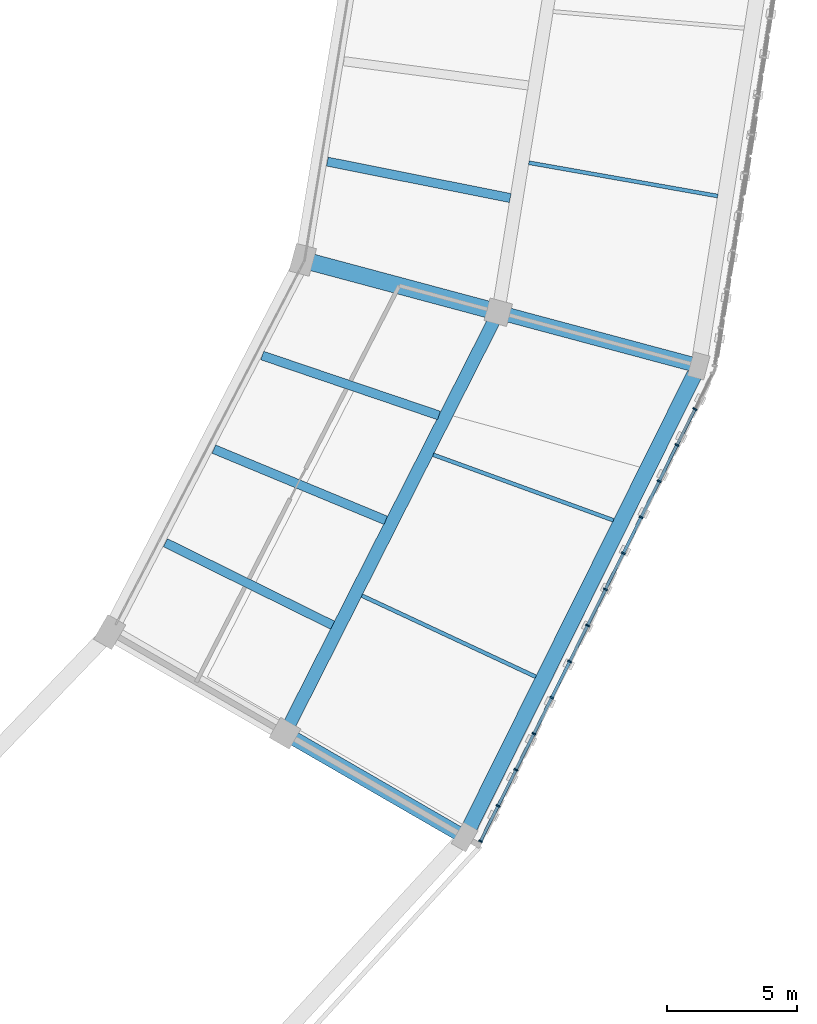
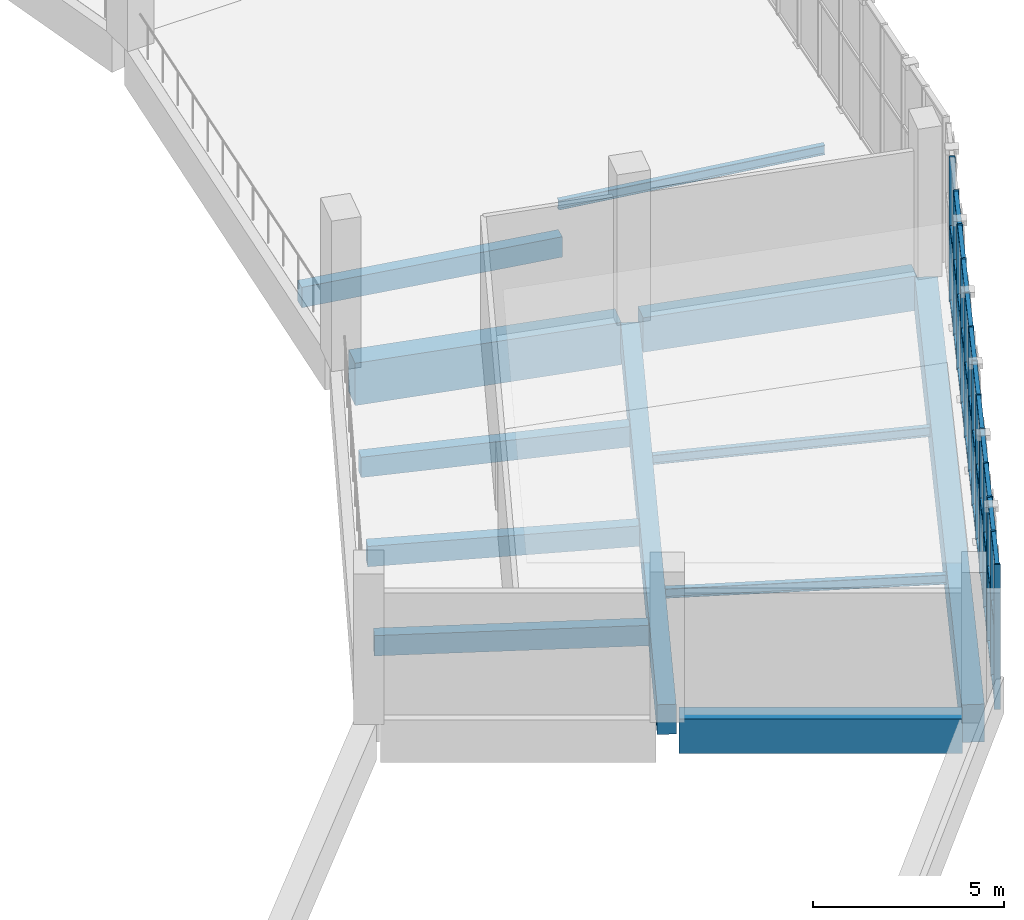
# One storey, part 18 of 64: 48 members, 12 beams, 1 element without a shape of its own.
"""IFC4 building model written with IfcOpenShell, lengths in metres."""

import ifcopenshell
import ifcopenshell.guid

model = None  # the IFC model being written
_history = None  # IfcOwnerHistory: only IFC2X3 demands one
_inside = {}  # id of a spatial element -> (the spatial element, [elements in it])
_under = {}  # id of a project, library or spatial element -> (it, [spatial elements below it])
_declared = {}  # id of a project -> (the project, [libraries it declares])
_typed = {}  # id of a type object -> (the type object, [elements of that type])
_made_of = {}  # id of a material, layer set ... -> (it, [elements and type objects made of it])


def new_model(schema):
    """Start an empty IFC model of exactly this schema.

    Asked for "IFC4X3", IfcOpenShell would pick the latest addendum, in which some entities
    have other attributes; the version numbers below select the first issue.
    IFC2X3 requires an IfcOwnerHistory on every rooted entity: one is made here for all.
    """
    global model, _history
    if schema == "IFC4X3":
        model = ifcopenshell.file(schema_version=(4, 3, 0, 0))
    else:
        model = ifcopenshell.file(schema=schema)
    _inside.clear()
    _under.clear()
    _declared.clear()
    _typed.clear()
    _made_of.clear()
    _history = None
    if model.schema == "IFC2X3":
        org = make("IfcOrganization", Name="unknown")
        user = make(
            "IfcPersonAndOrganization",
            ThePerson=make("IfcPerson", FamilyName="unknown"),
            TheOrganization=org,
        )
        app = make(
            "IfcApplication",
            ApplicationDeveloper=org,
            Version="unknown",
            ApplicationFullName="unknown",
            ApplicationIdentifier="unknown",
        )
        _history = make(
            "IfcOwnerHistory",
            OwningUser=user,
            OwningApplication=app,
            ChangeAction="ADDED",
            CreationDate=0,
        )
    return model


def make(cls, **values):
    """One entity of the class cls with the attributes given. An attribute that is None is left unset."""
    return model.create_entity(
        cls, **{name: value for name, value in values.items() if value is not None}
    )


def rooted(cls, **values):
    """An entity with a GlobalId (a new one), such as an element, a storey or a relation."""
    return make(cls, GlobalId=ifcopenshell.guid.new(), OwnerHistory=_history, **values)


def si_unit(unit_type, name, prefix=None):
    """IfcSIUnit, for example si_unit("LENGTHUNIT", "METRE", prefix="MILLI")."""
    return make("IfcSIUnit", UnitType=unit_type, Prefix=prefix, Name=name)


def assignment(units):
    """IfcUnitAssignment: the units of a project."""
    return None if units is None else make("IfcUnitAssignment", Units=units)


def point(xyz):
    """IfcCartesianPoint."""
    return None if xyz is None else make("IfcCartesianPoint", Coordinates=xyz)


def direction(xyz):
    """IfcDirection."""
    return None if xyz is None else make("IfcDirection", DirectionRatios=xyz)


def frame(location, z_axis=None, x_axis=None):
    """IfcAxis2Placement3D, a coordinate frame: its origin and axes. An axis left out is left unset."""
    return make(
        "IfcAxis2Placement3D",
        Location=point(location),
        Axis=direction(z_axis),
        RefDirection=direction(x_axis),
    )


def frame_2d(location, x_axis=None):
    """IfcAxis2Placement2D, a coordinate frame in the plane: its origin and x axis."""
    return make(
        "IfcAxis2Placement2D", Location=point(location), RefDirection=direction(x_axis)
    )


def origin():
    """The frame at (0, 0, 0) with its axes left unset."""
    return frame((0.0, 0.0, 0.0))


def origin_2d():
    """The frame at (0, 0) in the plane with its x axis left unset."""
    return frame_2d((0.0, 0.0))


def place(relative_to, where):
    """IfcLocalPlacement: puts the frame where relative to a parent placement (None: the world)."""
    return make(
        "IfcLocalPlacement", PlacementRelTo=relative_to, RelativePlacement=where
    )


def context(
    kind, dimensions, precision=None, world=None, true_north=None, identifier=None
):
    """IfcGeometricRepresentationContext, for example the 3D "Model" context."""
    return make(
        "IfcGeometricRepresentationContext",
        ContextIdentifier=identifier,
        ContextType=kind,
        CoordinateSpaceDimension=dimensions,
        Precision=precision,
        WorldCoordinateSystem=world,
        TrueNorth=true_north,
    )


def subcontext(parent, identifier, kind, view, scale=None):
    """IfcGeometricRepresentationSubContext, for example "Body" below "Model"."""
    return make(
        "IfcGeometricRepresentationSubContext",
        ContextIdentifier=identifier,
        ContextType=kind,
        ParentContext=parent,
        TargetScale=scale,
        TargetView=view,
    )


def project(units=None, contexts=None):
    """IfcProject with its units and contexts."""
    return rooted(
        "IfcProject",
        Name="project",
        RepresentationContexts=contexts,
        UnitsInContext=assignment(units),
    )


def spatial(cls, under=None, at=None, **own):
    """A site, building, storey or space (cls), placed at a placement, below another one or the project."""
    s = rooted(cls, ObjectPlacement=at, **own)
    if under is not None:
        _under.setdefault(under.id(), (under, []))[1].append(s)
    return s


def profile(cls, at=None, kind="AREA", **sizes):
    """A parametric profile (cls). Its sizes go by their IFC names, for example OverallWidth=200.0."""
    return make(cls, ProfileType=kind, Position=at, **sizes)


def rectangle(**sizes):
    """IfcRectangleProfileDef."""
    return profile("IfcRectangleProfileDef", **sizes)


def i_section(**sizes):
    """IfcIShapeProfileDef."""
    return profile("IfcIShapeProfileDef", **sizes)


def extrude(swept, where, along, depth):
    """IfcExtrudedAreaSolid: the profile swept, set in the frame where, extruded along a direction by depth."""
    return make(
        "IfcExtrudedAreaSolid",
        SweptArea=swept,
        Position=where,
        ExtrudedDirection=direction(along),
        Depth=depth,
    )


def shape(context_of_items, identifier, shape_type, items):
    """IfcShapeRepresentation: the items that make up one representation, for example the "Body"."""
    return make(
        "IfcShapeRepresentation",
        ContextOfItems=context_of_items,
        RepresentationIdentifier=identifier,
        RepresentationType=shape_type,
        Items=items,
    )


def material(Name=None, Category=None):
    """IfcMaterial."""
    return make("IfcMaterial", Name=Name, Category=Category)


def material_profile(
    of_material, cross_section, Name=None, Category=None, Priority=None
):
    """IfcMaterialProfile: a cross section and its material."""
    return make(
        "IfcMaterialProfile",
        Name=Name,
        Material=of_material,
        Profile=cross_section,
        Priority=Priority,
        Category=Category,
    )


def profile_set(profiles, Name=None, composite=None):
    """IfcMaterialProfileSet."""
    return make(
        "IfcMaterialProfileSet",
        Name=Name,
        MaterialProfiles=profiles,
        CompositeProfile=composite,
    )


def made_of(thing, what):
    """Note that an element or type object is made of a material, layer set ...; save() writes the relation."""
    if what is not None:
        _made_of.setdefault(what.id(), (what, []))[1].append(thing)
    return thing


def type_object(cls, material=None, **own):
    """A type object (cls), such as IfcWallType, which elements share."""
    return made_of(rooted(cls, **own), material)


def element(
    cls,
    number,
    at=None,
    inside=None,
    cuts=None,
    type_object=None,
    material=None,
    context=None,
    identifier="Body",
    shape_type=None,
    held_by="IfcProductDefinitionShape",
    body=None,
    shapes=None,
    **own,
):
    """One element of the class cls, such as IfcWall. Its Tag is "e" and its number.

    at: its placement. inside: the storey or other place that contains it. cuts: it is an
    opening in that element (IfcRelVoidsElement). A single representation is given by context,
    identifier, shape_type and body (its items); several are given by shapes. held_by: the class
    of the entity that holds the representations. save() writes the other relations.
    """
    e = rooted(cls, Tag="e%d" % number, ObjectPlacement=at, **own)
    if body is not None:
        shapes = [shape(context, identifier, shape_type, body)]
    if shapes is not None:
        e.Representation = make(held_by, Representations=shapes)
    if inside is not None:
        _inside.setdefault(inside.id(), (inside, []))[1].append(e)
    if cuts is not None:
        rooted(
            "IfcRelVoidsElement", RelatingBuildingElement=cuts, RelatedOpeningElement=e
        )
    if type_object is not None:
        _typed.setdefault(type_object.id(), (type_object, []))[1].append(e)
    return made_of(e, material)


def aggregate(whole, parts):
    """IfcRelAggregates: a whole, such as a stair, and the parts it consists of."""
    return rooted("IfcRelAggregates", RelatingObject=whole, RelatedObjects=parts)


def save(model, path):
    """Write the relations noted so far, then the file.

    IfcRelAggregates (storeys below a building ...), IfcRelContainedInSpatialStructure (elements
    in a storey), IfcRelDefinesByType, IfcRelAssociatesMaterial and IfcRelDeclares: one each for
    every whole, place, type object, material and project.
    """
    for whole, parts in _under.values():
        aggregate(whole, parts)
    for where, things in _inside.values():
        rooted(
            "IfcRelContainedInSpatialStructure",
            RelatedElements=things,
            RelatingStructure=where,
        )
    for kind, things in _typed.values():
        rooted("IfcRelDefinesByType", RelatedObjects=things, RelatingType=kind)
    for what, things in _made_of.values():
        rooted("IfcRelAssociatesMaterial", RelatedObjects=things, RelatingMaterial=what)
    for by, libraries in _declared.values():
        rooted("IfcRelDeclares", RelatingContext=by, RelatedDefinitions=libraries)
    model.write(path)


model = new_model("IFC4")

# Units and contexts
model_context = context("Model", 3, precision=1e-05, world=origin(), true_north=direction((0.0, 1.0)))
body_context = subcontext(model_context, "Body", "Model", "MODEL_VIEW")
ifc_project = project(units=[si_unit("LENGTHUNIT", "METRE"), si_unit("AREAUNIT", "SQUARE_METRE"), si_unit("VOLUMEUNIT", "CUBIC_METRE"), si_unit("PLANEANGLEUNIT", "RADIAN"), si_unit("MASSUNIT", "GRAM", prefix="KILO")], contexts=[model_context])

# Site, building, storey
site_placement = place(None, origin())
site = spatial("IfcSite", under=ifc_project, at=site_placement, CompositionType="ELEMENT")
building_placement = place(site_placement, origin())
building = spatial("IfcBuilding", under=site, at=building_placement, Name="Zevraka Park Crest Stadium", CompositionType="ELEMENT")
storey_placement = place(building_placement, frame((0.0, 0.0, 24.60009765625)))
storey = spatial("IfcBuildingStorey", under=building, at=storey_placement, Name="L05", CompositionType="ELEMENT", Elevation=24.60009765625)

# Beams
ifc_material_1 = material(Name="Concrete C40/50", Category="concrete")
ifc_material_profile_1 = material_profile(ifc_material_1, rectangle(XDim=0.64990234375, YDim=1.35009765625, at=origin_2d()), Name="RC 1350x650")
ifc_profile_set_1 = profile_set([ifc_material_profile_1], Name="Concrete C40/50")
beam_type_1 = type_object("IfcBeamType", Name="BG01", PredefinedType="BEAM", material=ifc_profile_set_1)
beam_1_placement = place(storey_placement, frame((184.2509765625, 76.52197265625, -0.68505859375), z_axis=(0.965945630245, -0.258745124417, 0.0), x_axis=(0.258745124417, 0.965945630245, 0.0)))
element("IfcBeam", 1, at=beam_1_placement, inside=storey, type_object=beam_type_1, Name="Radial Girder BG01 L05-BC-23", PredefinedType="BEAM", context=body_context, shape_type="SweptSolid", body=[
    extrude(rectangle(XDim=0.64990234375, YDim=1.35009765625, at=origin_2d()), origin(), (0.0, 0.0, 1.0), 7.2001953125),
])
ifc_material_2 = material(Name="Concrete C40/50", Category="concrete")
ifc_material_profile_2 = material_profile(ifc_material_2, rectangle(XDim=0.550048828125, YDim=1.10009765625, at=origin_2d()), Name="RC 1100x550")
ifc_profile_set_2 = profile_set([ifc_material_profile_2], Name="Concrete C40/50")
beam_type_2 = type_object("IfcBeamType", Name="BG02", PredefinedType="BEAM", material=ifc_profile_set_2)
beam_2_placement = place(storey_placement, frame((183.533935546875, 58.199951171875, -0.56005859375), z_axis=(0.86600700885, -0.500031859608, 0.0), x_axis=(0.500031859608, 0.86600700885, 0.0)))
element("IfcBeam", 2, at=beam_2_placement, inside=storey, type_object=beam_type_2, Name="Radial Girder BG02 L05-CD-22", PredefinedType="BEAM", context=body_context, shape_type="SweptSolid", body=[
    extrude(rectangle(XDim=0.550048828125, YDim=1.10009765625, at=origin_2d()), origin(), (0.0, 0.0, 1.0), 7.3994140625),
])
beam_3_placement = place(storey_placement, frame((191.785888671875, 74.5029296875, -0.56005859375), z_axis=(0.965968812251, -0.258658565986, 0.0), x_axis=(0.258658565986, 0.965968812251, 0.0)))
element("IfcBeam", 3, at=beam_3_placement, inside=storey, type_object=beam_type_2, Name="Radial Girder BG02 L05-CD-23", PredefinedType="BEAM", context=body_context, shape_type="SweptSolid", body=[
    extrude(rectangle(XDim=0.550048828125, YDim=1.10009765625, at=origin_2d()), origin(), (0.0, 0.0, 1.0), 7.39892578125),
])

# Curtain wall, members
ifc_material_3 = material(Name="Anodised architectural aluminium and laminated safety glass", Category="aluminium")
curtain_wall_type = type_object("IfcCurtainWallType", Name="CW22", PredefinedType="NOTDEFINED", material=ifc_material_3)
curtain_wall_placement = place(storey_placement, origin())
curtain_wall = element("IfcCurtainWall", 4, at=curtain_wall_placement, inside=storey, type_object=curtain_wall_type, Name="Unitised Ring Curtain Wall CW22 L05-22", PredefinedType="NOTDEFINED")
ifc_material_4 = material(Name="Anodised architectural aluminium", Category="aluminium")
ifc_material_profile_3 = material_profile(ifc_material_4, rectangle(XDim=0.159912109375, YDim=0.06005859375, at=origin_2d()), Name="ALU MULLION 160x60")
ifc_profile_set_3 = profile_set([ifc_material_profile_3], Name="Anodised architectural aluminium")
member_type_1 = type_object("IfcMemberType", Name="CM01", PredefinedType="MULLION", material=ifc_profile_set_3)
member_1_placement = place(storey_placement, frame((190.812255859375, 54.18798828125, 0.0), z_axis=(0.0, 0.0, 1.0), x_axis=(-0.895879320455, 0.444297471499, 0.0)))
member_1 = element("IfcMember", 5, at=member_1_placement, type_object=member_type_1, Name="CW22 mullion 1", PredefinedType="MULLION", context=body_context, shape_type="SweptSolid", body=[
    extrude(rectangle(XDim=0.159912109375, YDim=0.06005859375, at=origin_2d()), origin(), (0.0, 0.0, 1.0), 4.619873046875),
])
member_2_placement = place(storey_placement, frame((191.48876953125, 55.5517578125, 0.0), z_axis=(0.0, 0.0, 1.0), x_axis=(-0.895879320455, 0.444297471499, 0.0)))
member_2 = element("IfcMember", 6, at=member_2_placement, type_object=member_type_1, Name="CW22 mullion 2", PredefinedType="MULLION", context=body_context, shape_type="SweptSolid", body=[
    extrude(rectangle(XDim=0.159912109375, YDim=0.06005859375, at=origin_2d()), origin(), (0.0, 0.0, 1.0), 4.619873046875),
])
member_3_placement = place(storey_placement, frame((192.178466796875, 56.9423828125, 0.0), z_axis=(0.0, 0.0, 1.0), x_axis=(-0.895879320455, 0.444297471499, 0.0)))
member_3 = element("IfcMember", 7, at=member_3_placement, type_object=member_type_1, Name="CW22 mullion 3", PredefinedType="MULLION", context=body_context, shape_type="SweptSolid", body=[
    extrude(rectangle(XDim=0.159912109375, YDim=0.06005859375, at=origin_2d()), origin(), (0.0, 0.0, 1.0), 4.619873046875),
])
member_4_placement = place(storey_placement, frame((192.8681640625, 58.3330078125, 0.0), z_axis=(0.0, 0.0, 1.0), x_axis=(-0.895879320455, 0.444297471499, 0.0)))
member_4 = element("IfcMember", 8, at=member_4_placement, type_object=member_type_1, Name="CW22 mullion 4", PredefinedType="MULLION", context=body_context, shape_type="SweptSolid", body=[
    extrude(rectangle(XDim=0.159912109375, YDim=0.06005859375, at=origin_2d()), origin(), (0.0, 0.0, 1.0), 4.619873046875),
])
member_5_placement = place(storey_placement, frame((193.557861328125, 59.723876953125, 0.0), z_axis=(0.0, 0.0, 1.0), x_axis=(-0.895879320455, 0.444297471499, 0.0)))
member_5 = element("IfcMember", 9, at=member_5_placement, type_object=member_type_1, Name="CW22 mullion 5", PredefinedType="MULLION", context=body_context, shape_type="SweptSolid", body=[
    extrude(rectangle(XDim=0.159912109375, YDim=0.06005859375, at=origin_2d()), origin(), (0.0, 0.0, 1.0), 4.619873046875),
])
member_6_placement = place(storey_placement, frame((194.24755859375, 61.114501953125, 0.0), z_axis=(0.0, 0.0, 1.0), x_axis=(-0.895879320455, 0.444297471499, 0.0)))
member_6 = element("IfcMember", 10, at=member_6_placement, type_object=member_type_1, Name="CW22 mullion 6", PredefinedType="MULLION", context=body_context, shape_type="SweptSolid", body=[
    extrude(rectangle(XDim=0.159912109375, YDim=0.06005859375, at=origin_2d()), origin(), (0.0, 0.0, 1.0), 4.619873046875),
])
member_7_placement = place(storey_placement, frame((194.937255859375, 62.505126953125, 0.0), z_axis=(0.0, 0.0, 1.0), x_axis=(-0.895879320455, 0.444297471499, 0.0)))
member_7 = element("IfcMember", 11, at=member_7_placement, type_object=member_type_1, Name="CW22 mullion 7", PredefinedType="MULLION", context=body_context, shape_type="SweptSolid", body=[
    extrude(rectangle(XDim=0.159912109375, YDim=0.06005859375, at=origin_2d()), origin(), (0.0, 0.0, 1.0), 4.619873046875),
])
member_8_placement = place(storey_placement, frame((195.626953125, 63.895751953125, 0.0), z_axis=(0.0, 0.0, 1.0), x_axis=(-0.895879320455, 0.444297471499, 0.0)))
member_8 = element("IfcMember", 12, at=member_8_placement, type_object=member_type_1, Name="CW22 mullion 8", PredefinedType="MULLION", context=body_context, shape_type="SweptSolid", body=[
    extrude(rectangle(XDim=0.159912109375, YDim=0.06005859375, at=origin_2d()), origin(), (0.0, 0.0, 1.0), 4.619873046875),
])
member_9_placement = place(storey_placement, frame((196.316650390625, 65.28662109375, 0.0), z_axis=(0.0, 0.0, 1.0), x_axis=(-0.895879320455, 0.444297471499, 0.0)))
member_9 = element("IfcMember", 13, at=member_9_placement, type_object=member_type_1, Name="CW22 mullion 9", PredefinedType="MULLION", context=body_context, shape_type="SweptSolid", body=[
    extrude(rectangle(XDim=0.159912109375, YDim=0.06005859375, at=origin_2d()), origin(), (0.0, 0.0, 1.0), 4.619873046875),
])
member_10_placement = place(storey_placement, frame((197.00634765625, 66.67724609375, 0.0), z_axis=(0.0, 0.0, 1.0), x_axis=(-0.895879320455, 0.444297471499, 0.0)))
member_10 = element("IfcMember", 14, at=member_10_placement, type_object=member_type_1, Name="CW22 mullion 10", PredefinedType="MULLION", context=body_context, shape_type="SweptSolid", body=[
    extrude(rectangle(XDim=0.159912109375, YDim=0.06005859375, at=origin_2d()), origin(), (0.0, 0.0, 1.0), 4.619873046875),
])
member_11_placement = place(storey_placement, frame((197.696044921875, 68.06787109375, 0.0), z_axis=(0.0, 0.0, 1.0), x_axis=(-0.895879320455, 0.444297471499, 0.0)))
member_11 = element("IfcMember", 15, at=member_11_placement, type_object=member_type_1, Name="CW22 mullion 11", PredefinedType="MULLION", context=body_context, shape_type="SweptSolid", body=[
    extrude(rectangle(XDim=0.159912109375, YDim=0.06005859375, at=origin_2d()), origin(), (0.0, 0.0, 1.0), 4.619873046875),
])
member_12_placement = place(storey_placement, frame((198.385498046875, 69.45849609375, 0.0), z_axis=(0.0, 0.0, 1.0), x_axis=(-0.895879320455, 0.444297471499, 0.0)))
member_12 = element("IfcMember", 16, at=member_12_placement, type_object=member_type_1, Name="CW22 mullion 12", PredefinedType="MULLION", context=body_context, shape_type="SweptSolid", body=[
    extrude(rectangle(XDim=0.159912109375, YDim=0.06005859375, at=origin_2d()), origin(), (0.0, 0.0, 1.0), 4.619873046875),
])
member_13_placement = place(storey_placement, frame((199.0751953125, 70.849365234375, 0.0), z_axis=(0.0, 0.0, 1.0), x_axis=(-0.895879320455, 0.444297471499, 0.0)))
member_13 = element("IfcMember", 17, at=member_13_placement, type_object=member_type_1, Name="CW22 mullion 13", PredefinedType="MULLION", context=body_context, shape_type="SweptSolid", body=[
    extrude(rectangle(XDim=0.159912109375, YDim=0.06005859375, at=origin_2d()), origin(), (0.0, 0.0, 1.0), 4.619873046875),
])
ifc_material_5 = material(Name="Anodised architectural aluminium", Category="aluminium")
ifc_material_profile_4 = material_profile(ifc_material_5, rectangle(XDim=0.1201171875, YDim=0.06005859375, at=origin_2d()), Name="ALU TRANSOM 120x60")
ifc_profile_set_4 = profile_set([ifc_material_profile_4], Name="Anodised architectural aluminium")
member_type_2 = type_object("IfcMemberType", Name="CT01", PredefinedType="USERDEFINED", material=ifc_profile_set_4)
member_14_placement = place(storey_placement, frame((190.82568359375, 54.21484375, 0.02978515625), z_axis=(0.444272737826, 0.895891586312, 0.0), x_axis=(-0.895891586312, 0.444272737826, 0.0)))
member_14 = element("IfcMember", 18, at=member_14_placement, type_object=member_type_2, Name="CW22 transom 1.1", ObjectType="TRANSOM", PredefinedType="USERDEFINED", context=body_context, shape_type="SweptSolid", body=[
    extrude(rectangle(XDim=0.1201171875, YDim=0.06005859375, at=origin_2d()), origin(), (0.0, 0.0, 1.0), 1.46240234375),
])
member_15_placement = place(storey_placement, frame((190.82568359375, 54.21484375, 2.39990234375), z_axis=(0.444272737826, 0.895891586312, 0.0), x_axis=(-0.895891586312, 0.444272737826, 0.0)))
member_15 = element("IfcMember", 19, at=member_15_placement, type_object=member_type_2, Name="CW22 transom 1.2", ObjectType="TRANSOM", PredefinedType="USERDEFINED", context=body_context, shape_type="SweptSolid", body=[
    extrude(rectangle(XDim=0.1201171875, YDim=0.06005859375, at=origin_2d()), origin(), (0.0, 0.0, 1.0), 1.46240234375),
])
member_16_placement = place(storey_placement, frame((190.82568359375, 54.21484375, 4.58984375), z_axis=(0.444272737826, 0.895891586312, 0.0), x_axis=(-0.895891586312, 0.444272737826, 0.0)))
member_16 = element("IfcMember", 20, at=member_16_placement, type_object=member_type_2, Name="CW22 transom 1.3", ObjectType="TRANSOM", PredefinedType="USERDEFINED", context=body_context, shape_type="SweptSolid", body=[
    extrude(rectangle(XDim=0.1201171875, YDim=0.06005859375, at=origin_2d()), origin(), (0.0, 0.0, 1.0), 1.46240234375),
])
member_17_placement = place(storey_placement, frame((191.501953125, 55.57861328125, 0.02978515625), z_axis=(0.444331954809, 0.895862218165, 0.0), x_axis=(-0.895862218165, 0.444331954809, 0.0)))
member_17 = element("IfcMember", 21, at=member_17_placement, type_object=member_type_2, Name="CW22 transom 2.1", ObjectType="TRANSOM", PredefinedType="USERDEFINED", context=body_context, shape_type="SweptSolid", body=[
    extrude(rectangle(XDim=0.1201171875, YDim=0.06005859375, at=origin_2d()), origin(), (0.0, 0.0, 1.0), 1.492431640625),
])
member_18_placement = place(storey_placement, frame((191.501953125, 55.57861328125, 2.39990234375), z_axis=(0.444331954809, 0.895862218165, 0.0), x_axis=(-0.895862218165, 0.444331954809, 0.0)))
member_18 = element("IfcMember", 22, at=member_18_placement, type_object=member_type_2, Name="CW22 transom 2.2", ObjectType="TRANSOM", PredefinedType="USERDEFINED", context=body_context, shape_type="SweptSolid", body=[
    extrude(rectangle(XDim=0.1201171875, YDim=0.06005859375, at=origin_2d()), origin(), (0.0, 0.0, 1.0), 1.492431640625),
])
member_19_placement = place(storey_placement, frame((191.501953125, 55.57861328125, 4.58984375), z_axis=(0.444331954809, 0.895862218165, 0.0), x_axis=(-0.895862218165, 0.444331954809, 0.0)))
member_19 = element("IfcMember", 23, at=member_19_placement, type_object=member_type_2, Name="CW22 transom 2.3", ObjectType="TRANSOM", PredefinedType="USERDEFINED", context=body_context, shape_type="SweptSolid", body=[
    extrude(rectangle(XDim=0.1201171875, YDim=0.06005859375, at=origin_2d()), origin(), (0.0, 0.0, 1.0), 1.492431640625),
])
member_20_placement = place(storey_placement, frame((192.191650390625, 56.96923828125, 0.02978515625), z_axis=(0.444331954809, 0.895862218165, 0.0), x_axis=(-0.895862218165, 0.444331954809, 0.0)))
member_20 = element("IfcMember", 24, at=member_20_placement, type_object=member_type_2, Name="CW22 transom 3.1", ObjectType="TRANSOM", PredefinedType="USERDEFINED", context=body_context, shape_type="SweptSolid", body=[
    extrude(rectangle(XDim=0.1201171875, YDim=0.06005859375, at=origin_2d()), origin(), (0.0, 0.0, 1.0), 1.492431640625),
])
member_21_placement = place(storey_placement, frame((192.191650390625, 56.96923828125, 2.39990234375), z_axis=(0.444331954809, 0.895862218165, 0.0), x_axis=(-0.895862218165, 0.444331954809, 0.0)))
member_21 = element("IfcMember", 25, at=member_21_placement, type_object=member_type_2, Name="CW22 transom 3.2", ObjectType="TRANSOM", PredefinedType="USERDEFINED", context=body_context, shape_type="SweptSolid", body=[
    extrude(rectangle(XDim=0.1201171875, YDim=0.06005859375, at=origin_2d()), origin(), (0.0, 0.0, 1.0), 1.492431640625),
])
member_22_placement = place(storey_placement, frame((192.191650390625, 56.96923828125, 4.58984375), z_axis=(0.444331954809, 0.895862218165, 0.0), x_axis=(-0.895862218165, 0.444331954809, 0.0)))
member_22 = element("IfcMember", 26, at=member_22_placement, type_object=member_type_2, Name="CW22 transom 3.3", ObjectType="TRANSOM", PredefinedType="USERDEFINED", context=body_context, shape_type="SweptSolid", body=[
    extrude(rectangle(XDim=0.1201171875, YDim=0.06005859375, at=origin_2d()), origin(), (0.0, 0.0, 1.0), 1.492431640625),
])
member_23_placement = place(storey_placement, frame((192.88134765625, 58.35986328125, 0.02978515625), z_axis=(0.444331954809, 0.895862218165, 0.0), x_axis=(-0.895862218165, 0.444331954809, 0.0)))
member_23 = element("IfcMember", 27, at=member_23_placement, type_object=member_type_2, Name="CW22 transom 4.1", ObjectType="TRANSOM", PredefinedType="USERDEFINED", context=body_context, shape_type="SweptSolid", body=[
    extrude(rectangle(XDim=0.1201171875, YDim=0.06005859375, at=origin_2d()), origin(), (0.0, 0.0, 1.0), 1.492431640625),
])
member_24_placement = place(storey_placement, frame((192.88134765625, 58.35986328125, 2.39990234375), z_axis=(0.444331954809, 0.895862218165, 0.0), x_axis=(-0.895862218165, 0.444331954809, 0.0)))
member_24 = element("IfcMember", 28, at=member_24_placement, type_object=member_type_2, Name="CW22 transom 4.2", ObjectType="TRANSOM", PredefinedType="USERDEFINED", context=body_context, shape_type="SweptSolid", body=[
    extrude(rectangle(XDim=0.1201171875, YDim=0.06005859375, at=origin_2d()), origin(), (0.0, 0.0, 1.0), 1.492431640625),
])
member_25_placement = place(storey_placement, frame((192.88134765625, 58.35986328125, 4.58984375), z_axis=(0.444331954809, 0.895862218165, 0.0), x_axis=(-0.895862218165, 0.444331954809, 0.0)))
member_25 = element("IfcMember", 29, at=member_25_placement, type_object=member_type_2, Name="CW22 transom 4.3", ObjectType="TRANSOM", PredefinedType="USERDEFINED", context=body_context, shape_type="SweptSolid", body=[
    extrude(rectangle(XDim=0.1201171875, YDim=0.06005859375, at=origin_2d()), origin(), (0.0, 0.0, 1.0), 1.492431640625),
])
member_26_placement = place(storey_placement, frame((193.571044921875, 59.750732421875, 0.02978515625), z_axis=(0.444331954809, 0.895862218165, 0.0), x_axis=(-0.895862218165, 0.444331954809, 0.0)))
member_26 = element("IfcMember", 30, at=member_26_placement, type_object=member_type_2, Name="CW22 transom 5.1", ObjectType="TRANSOM", PredefinedType="USERDEFINED", context=body_context, shape_type="SweptSolid", body=[
    extrude(rectangle(XDim=0.1201171875, YDim=0.06005859375, at=origin_2d()), origin(), (0.0, 0.0, 1.0), 1.492431640625),
])
member_27_placement = place(storey_placement, frame((193.571044921875, 59.750732421875, 2.39990234375), z_axis=(0.444331954809, 0.895862218165, 0.0), x_axis=(-0.895862218165, 0.444331954809, 0.0)))
member_27 = element("IfcMember", 31, at=member_27_placement, type_object=member_type_2, Name="CW22 transom 5.2", ObjectType="TRANSOM", PredefinedType="USERDEFINED", context=body_context, shape_type="SweptSolid", body=[
    extrude(rectangle(XDim=0.1201171875, YDim=0.06005859375, at=origin_2d()), origin(), (0.0, 0.0, 1.0), 1.492431640625),
])
member_28_placement = place(storey_placement, frame((193.571044921875, 59.750732421875, 4.58984375), z_axis=(0.444331954809, 0.895862218165, 0.0), x_axis=(-0.895862218165, 0.444331954809, 0.0)))
member_28 = element("IfcMember", 32, at=member_28_placement, type_object=member_type_2, Name="CW22 transom 5.3", ObjectType="TRANSOM", PredefinedType="USERDEFINED", context=body_context, shape_type="SweptSolid", body=[
    extrude(rectangle(XDim=0.1201171875, YDim=0.06005859375, at=origin_2d()), origin(), (0.0, 0.0, 1.0), 1.492431640625),
])
member_29_placement = place(storey_placement, frame((194.2607421875, 61.141357421875, 0.02978515625), z_axis=(0.444331954809, 0.895862218165, 0.0), x_axis=(-0.895862218165, 0.444331954809, 0.0)))
member_29 = element("IfcMember", 33, at=member_29_placement, type_object=member_type_2, Name="CW22 transom 6.1", ObjectType="TRANSOM", PredefinedType="USERDEFINED", context=body_context, shape_type="SweptSolid", body=[
    extrude(rectangle(XDim=0.1201171875, YDim=0.06005859375, at=origin_2d()), origin(), (0.0, 0.0, 1.0), 1.492431640625),
])
member_30_placement = place(storey_placement, frame((194.2607421875, 61.141357421875, 2.39990234375), z_axis=(0.444331954809, 0.895862218165, 0.0), x_axis=(-0.895862218165, 0.444331954809, 0.0)))
member_30 = element("IfcMember", 34, at=member_30_placement, type_object=member_type_2, Name="CW22 transom 6.2", ObjectType="TRANSOM", PredefinedType="USERDEFINED", context=body_context, shape_type="SweptSolid", body=[
    extrude(rectangle(XDim=0.1201171875, YDim=0.06005859375, at=origin_2d()), origin(), (0.0, 0.0, 1.0), 1.492431640625),
])
member_31_placement = place(storey_placement, frame((194.2607421875, 61.141357421875, 4.58984375), z_axis=(0.444331954809, 0.895862218165, 0.0), x_axis=(-0.895862218165, 0.444331954809, 0.0)))
member_31 = element("IfcMember", 35, at=member_31_placement, type_object=member_type_2, Name="CW22 transom 6.3", ObjectType="TRANSOM", PredefinedType="USERDEFINED", context=body_context, shape_type="SweptSolid", body=[
    extrude(rectangle(XDim=0.1201171875, YDim=0.06005859375, at=origin_2d()), origin(), (0.0, 0.0, 1.0), 1.492431640625),
])
member_32_placement = place(storey_placement, frame((194.950439453125, 62.531982421875, 0.02978515625), z_axis=(0.444331954809, 0.895862218165, 0.0), x_axis=(-0.895862218165, 0.444331954809, 0.0)))
member_32 = element("IfcMember", 36, at=member_32_placement, type_object=member_type_2, Name="CW22 transom 7.1", ObjectType="TRANSOM", PredefinedType="USERDEFINED", context=body_context, shape_type="SweptSolid", body=[
    extrude(rectangle(XDim=0.1201171875, YDim=0.06005859375, at=origin_2d()), origin(), (0.0, 0.0, 1.0), 1.492431640625),
])
member_33_placement = place(storey_placement, frame((194.950439453125, 62.531982421875, 2.39990234375), z_axis=(0.444331954809, 0.895862218165, 0.0), x_axis=(-0.895862218165, 0.444331954809, 0.0)))
member_33 = element("IfcMember", 37, at=member_33_placement, type_object=member_type_2, Name="CW22 transom 7.2", ObjectType="TRANSOM", PredefinedType="USERDEFINED", context=body_context, shape_type="SweptSolid", body=[
    extrude(rectangle(XDim=0.1201171875, YDim=0.06005859375, at=origin_2d()), origin(), (0.0, 0.0, 1.0), 1.492431640625),
])
member_34_placement = place(storey_placement, frame((194.950439453125, 62.531982421875, 4.58984375), z_axis=(0.444331954809, 0.895862218165, 0.0), x_axis=(-0.895862218165, 0.444331954809, 0.0)))
member_34 = element("IfcMember", 38, at=member_34_placement, type_object=member_type_2, Name="CW22 transom 7.3", ObjectType="TRANSOM", PredefinedType="USERDEFINED", context=body_context, shape_type="SweptSolid", body=[
    extrude(rectangle(XDim=0.1201171875, YDim=0.06005859375, at=origin_2d()), origin(), (0.0, 0.0, 1.0), 1.492431640625),
])
member_35_placement = place(storey_placement, frame((195.64013671875, 63.922607421875, 0.02978515625), z_axis=(0.444266841356, 0.895894510348, 0.0), x_axis=(-0.895894510348, 0.444266841356, 0.0)))
member_35 = element("IfcMember", 39, at=member_35_placement, type_object=member_type_2, Name="CW22 transom 8.1", ObjectType="TRANSOM", PredefinedType="USERDEFINED", context=body_context, shape_type="SweptSolid", body=[
    extrude(rectangle(XDim=0.1201171875, YDim=0.06005859375, at=origin_2d()), origin(), (0.0, 0.0, 1.0), 1.492431640625),
])
member_36_placement = place(storey_placement, frame((195.64013671875, 63.922607421875, 2.39990234375), z_axis=(0.444266841356, 0.895894510348, 0.0), x_axis=(-0.895894510348, 0.444266841356, 0.0)))
member_36 = element("IfcMember", 40, at=member_36_placement, type_object=member_type_2, Name="CW22 transom 8.2", ObjectType="TRANSOM", PredefinedType="USERDEFINED", context=body_context, shape_type="SweptSolid", body=[
    extrude(rectangle(XDim=0.1201171875, YDim=0.06005859375, at=origin_2d()), origin(), (0.0, 0.0, 1.0), 1.492431640625),
])
member_37_placement = place(storey_placement, frame((195.64013671875, 63.922607421875, 4.58984375), z_axis=(0.444266841356, 0.895894510348, 0.0), x_axis=(-0.895894510348, 0.444266841356, 0.0)))
member_37 = element("IfcMember", 41, at=member_37_placement, type_object=member_type_2, Name="CW22 transom 8.3", ObjectType="TRANSOM", PredefinedType="USERDEFINED", context=body_context, shape_type="SweptSolid", body=[
    extrude(rectangle(XDim=0.1201171875, YDim=0.06005859375, at=origin_2d()), origin(), (0.0, 0.0, 1.0), 1.492431640625),
])
member_38_placement = place(storey_placement, frame((196.329833984375, 65.3134765625, 0.02978515625), z_axis=(0.444331954809, 0.895862218165, 0.0), x_axis=(-0.895862218165, 0.444331954809, 0.0)))
member_38 = element("IfcMember", 42, at=member_38_placement, type_object=member_type_2, Name="CW22 transom 9.1", ObjectType="TRANSOM", PredefinedType="USERDEFINED", context=body_context, shape_type="SweptSolid", body=[
    extrude(rectangle(XDim=0.1201171875, YDim=0.06005859375, at=origin_2d()), origin(), (0.0, 0.0, 1.0), 1.492431640625),
])
member_39_placement = place(storey_placement, frame((196.329833984375, 65.3134765625, 2.39990234375), z_axis=(0.444331954809, 0.895862218165, 0.0), x_axis=(-0.895862218165, 0.444331954809, 0.0)))
member_39 = element("IfcMember", 43, at=member_39_placement, type_object=member_type_2, Name="CW22 transom 9.2", ObjectType="TRANSOM", PredefinedType="USERDEFINED", context=body_context, shape_type="SweptSolid", body=[
    extrude(rectangle(XDim=0.1201171875, YDim=0.06005859375, at=origin_2d()), origin(), (0.0, 0.0, 1.0), 1.492431640625),
])
member_40_placement = place(storey_placement, frame((196.329833984375, 65.3134765625, 4.58984375), z_axis=(0.444331954809, 0.895862218165, 0.0), x_axis=(-0.895862218165, 0.444331954809, 0.0)))
member_40 = element("IfcMember", 44, at=member_40_placement, type_object=member_type_2, Name="CW22 transom 9.3", ObjectType="TRANSOM", PredefinedType="USERDEFINED", context=body_context, shape_type="SweptSolid", body=[
    extrude(rectangle(XDim=0.1201171875, YDim=0.06005859375, at=origin_2d()), origin(), (0.0, 0.0, 1.0), 1.492431640625),
])
member_41_placement = place(storey_placement, frame((197.01953125, 66.7041015625, 0.02978515625), z_axis=(0.444331954809, 0.895862218165, 0.0), x_axis=(-0.895862218165, 0.444331954809, 0.0)))
member_41 = element("IfcMember", 45, at=member_41_placement, type_object=member_type_2, Name="CW22 transom 10.1", ObjectType="TRANSOM", PredefinedType="USERDEFINED", context=body_context, shape_type="SweptSolid", body=[
    extrude(rectangle(XDim=0.1201171875, YDim=0.06005859375, at=origin_2d()), origin(), (0.0, 0.0, 1.0), 1.492431640625),
])
member_42_placement = place(storey_placement, frame((197.01953125, 66.7041015625, 2.39990234375), z_axis=(0.444331954809, 0.895862218165, 0.0), x_axis=(-0.895862218165, 0.444331954809, 0.0)))
member_42 = element("IfcMember", 46, at=member_42_placement, type_object=member_type_2, Name="CW22 transom 10.2", ObjectType="TRANSOM", PredefinedType="USERDEFINED", context=body_context, shape_type="SweptSolid", body=[
    extrude(rectangle(XDim=0.1201171875, YDim=0.06005859375, at=origin_2d()), origin(), (0.0, 0.0, 1.0), 1.492431640625),
])
member_43_placement = place(storey_placement, frame((197.01953125, 66.7041015625, 4.58984375), z_axis=(0.444331954809, 0.895862218165, 0.0), x_axis=(-0.895862218165, 0.444331954809, 0.0)))
member_43 = element("IfcMember", 47, at=member_43_placement, type_object=member_type_2, Name="CW22 transom 10.3", ObjectType="TRANSOM", PredefinedType="USERDEFINED", context=body_context, shape_type="SweptSolid", body=[
    extrude(rectangle(XDim=0.1201171875, YDim=0.06005859375, at=origin_2d()), origin(), (0.0, 0.0, 1.0), 1.492431640625),
])
member_44_placement = place(storey_placement, frame((197.709228515625, 68.0947265625, 0.02978515625), z_axis=(0.444331954809, 0.895862218165, 0.0), x_axis=(-0.895862218165, 0.444331954809, 0.0)))
member_44 = element("IfcMember", 48, at=member_44_placement, type_object=member_type_2, Name="CW22 transom 11.1", ObjectType="TRANSOM", PredefinedType="USERDEFINED", context=body_context, shape_type="SweptSolid", body=[
    extrude(rectangle(XDim=0.1201171875, YDim=0.06005859375, at=origin_2d()), origin(), (0.0, 0.0, 1.0), 1.492431640625),
])
member_45_placement = place(storey_placement, frame((197.709228515625, 68.0947265625, 2.39990234375), z_axis=(0.444331954809, 0.895862218165, 0.0), x_axis=(-0.895862218165, 0.444331954809, 0.0)))
member_45 = element("IfcMember", 49, at=member_45_placement, type_object=member_type_2, Name="CW22 transom 11.2", ObjectType="TRANSOM", PredefinedType="USERDEFINED", context=body_context, shape_type="SweptSolid", body=[
    extrude(rectangle(XDim=0.1201171875, YDim=0.06005859375, at=origin_2d()), origin(), (0.0, 0.0, 1.0), 1.492431640625),
])
member_46_placement = place(storey_placement, frame((197.709228515625, 68.0947265625, 4.58984375), z_axis=(0.444331954809, 0.895862218165, 0.0), x_axis=(-0.895862218165, 0.444331954809, 0.0)))
member_46 = element("IfcMember", 50, at=member_46_placement, type_object=member_type_2, Name="CW22 transom 11.3", ObjectType="TRANSOM", PredefinedType="USERDEFINED", context=body_context, shape_type="SweptSolid", body=[
    extrude(rectangle(XDim=0.1201171875, YDim=0.06005859375, at=origin_2d()), origin(), (0.0, 0.0, 1.0), 1.492431640625),
])
member_47_placement = place(storey_placement, frame((198.39892578125, 69.485595703125, 0.02978515625), z_axis=(0.444331954809, 0.895862218165, 0.0), x_axis=(-0.895862218165, 0.444331954809, 0.0)))
member_47 = element("IfcMember", 51, at=member_47_placement, type_object=member_type_2, Name="CW22 transom 12.1", ObjectType="TRANSOM", PredefinedType="USERDEFINED", context=body_context, shape_type="SweptSolid", body=[
    extrude(rectangle(XDim=0.1201171875, YDim=0.06005859375, at=origin_2d()), origin(), (0.0, 0.0, 1.0), 1.492431640625),
])
member_48_placement = place(storey_placement, frame((198.39892578125, 69.485595703125, 2.39990234375), z_axis=(0.444331954809, 0.895862218165, 0.0), x_axis=(-0.895862218165, 0.444331954809, 0.0)))
member_48 = element("IfcMember", 52, at=member_48_placement, type_object=member_type_2, Name="CW22 transom 12.2", ObjectType="TRANSOM", PredefinedType="USERDEFINED", context=body_context, shape_type="SweptSolid", body=[
    extrude(rectangle(XDim=0.1201171875, YDim=0.06005859375, at=origin_2d()), origin(), (0.0, 0.0, 1.0), 1.492431640625),
])
aggregate(curtain_wall, [member_1, member_2, member_3, member_4, member_5, member_6, member_7, member_8, member_9, member_10, member_11, member_12, member_13, member_14, member_15, member_16, member_17, member_18, member_19, member_20, member_21, member_22, member_23, member_24, member_25, member_26, member_27, member_28, member_29, member_30, member_31, member_32, member_33, member_34, member_35, member_36, member_37, member_38, member_39, member_40, member_41, member_42, member_43, member_44, member_45, member_46, member_47, member_48])

# Beams
ifc_material_6 = material(Name="Concrete C40/50", Category="concrete")
ifc_material_profile_5 = material_profile(ifc_material_6, rectangle(XDim=0.60009765625, YDim=1.199951171875, at=origin_2d()), Name="RC 1200x600")
ifc_profile_set_5 = profile_set([ifc_material_profile_5], Name="Concrete C40/50")
beam_type_3 = type_object("IfcBeamType", Name="RB01", PredefinedType="BEAM", material=ifc_profile_set_5)
beam_4_placement = place(storey_placement, frame((190.37109375, 54.68994140625, -0.610107421875), z_axis=(0.444850507814, 0.895604837916, 0.0), x_axis=(-0.895604837916, 0.444850507814, 0.0)))
element("IfcBeam", 53, at=beam_4_placement, inside=storey, type_object=beam_type_3, Name="Ring Beam RB01 L05-D-22", PredefinedType="BEAM", context=body_context, shape_type="SweptSolid", body=[
    extrude(rectangle(XDim=0.60009765625, YDim=1.199951171875, at=origin_2d()), origin(), (0.0, 0.0, 1.0), 19.5185546875),
])
ifc_material_7 = material(Name="Concrete C40/50", Category="concrete")
ifc_material_profile_6 = material_profile(ifc_material_7, rectangle(XDim=0.5, YDim=0.949951171875, at=origin_2d()), Name="RC 950x500")
ifc_profile_set_6 = profile_set([ifc_material_profile_6], Name="Concrete C40/50")
beam_type_4 = type_object("IfcBeamType", Name="RB02", PredefinedType="BEAM", material=ifc_profile_set_6)
beam_5_placement = place(storey_placement, frame((183.446044921875, 58.68896484375, -0.485107421875), z_axis=(0.451862275442, 0.892087710953, 0.0), x_axis=(-0.892087710953, 0.451862275442, 0.0)))
element("IfcBeam", 54, at=beam_5_placement, inside=storey, type_object=beam_type_4, Name="Ring Beam RB02 L05-C-22", PredefinedType="BEAM", context=body_context, shape_type="SweptSolid", body=[
    extrude(rectangle(XDim=0.5, YDim=0.949951171875, at=origin_2d()), origin(), (0.0, 0.0, 1.0), 17.434326171875),
])
ifc_material_8 = material(Name="Steel S355", Category="steel")
ifc_material_profile_7 = material_profile(ifc_material_8, i_section(OverallWidth=0.14990234375, OverallDepth=0.300048828125, WebThickness=0.007080078125, FlangeThickness=0.0107421875, at=origin_2d()), Name="IPE 300")
ifc_profile_set_7 = profile_set([ifc_material_profile_7], Name="Steel S355")
beam_type_5 = type_object("IfcBeamType", Name="SJ01", PredefinedType="JOIST", material=ifc_profile_set_7)
beam_6_placement = place(storey_placement, frame((186.237060546875, 63.656982421875, -0.418212890625), z_axis=(0.906183982971, -0.42288365895, 0.0), x_axis=(0.42288365895, 0.906183982971, 0.0)))
element("IfcBeam", 55, at=beam_6_placement, inside=storey, type_object=beam_type_5, Name="Floor Joist SJ01 L05-CD-22-1", PredefinedType="JOIST", context=body_context, shape_type="SweptSolid", body=[
    extrude(i_section(OverallWidth=0.14990234375, OverallDepth=0.300048828125, WebThickness=0.007080078125, FlangeThickness=0.0107421875, at=origin_2d()), origin(), (0.0, 0.0, 1.0), 7.39892578125),
])
for number, where, z_axis, x_axis, name in (
    (56, (188.986083984375, 69.0869140625, -0.418212890625), (0.939772225385, -0.341801352243, 0.0), (0.341801352243, 0.939772225385, 0.0), "Floor Joist SJ01 L05-CD-22-2"),
    (57, (192.672119140625, 80.344970703125, -0.418212890625), (0.984780236621, -0.17380415864, 0.0), (0.17380415864, 0.984780236621, 0.0), "Floor Joist SJ01 L05-CD-23-1"),
):
    element("IfcBeam", number, at=place(storey_placement, frame(where, z_axis=z_axis, x_axis=x_axis)), inside=storey, type_object=beam_type_5, Name=name, PredefinedType="JOIST", context=body_context, shape_type="SweptSolid", body=[
        extrude(i_section(OverallWidth=0.14990234375, OverallDepth=0.300048828125, WebThickness=0.007080078125, FlangeThickness=0.0107421875, at=origin_2d()), origin(), (0.0, 0.0, 1.0), 7.3984375),
    ])
ifc_material_9 = material(Name="Concrete C40/50", Category="concrete")
ifc_material_profile_8 = material_profile(ifc_material_9, rectangle(XDim=0.35009765625, YDim=0.64990234375, at=origin_2d()), Name="RC 650x350")
ifc_profile_set_8 = profile_set([ifc_material_profile_8], Name="Concrete C40/50")
beam_type_6 = type_object("IfcBeamType", Name="SJ06", PredefinedType="JOIST", material=ifc_profile_set_8)
beam_7_placement = place(storey_placement, frame((178.662109375, 65.697998046875, -0.593017578125), z_axis=(0.89675774001, -0.442521813849, 0.0), x_axis=(0.442521813849, 0.89675774001, 0.0)))
element("IfcBeam", 58, at=beam_7_placement, inside=storey, type_object=beam_type_6, Name="Floor Joist SJ06 L05-BC-22-1", PredefinedType="JOIST", context=body_context, shape_type="SweptSolid", body=[
    extrude(rectangle(XDim=0.35009765625, YDim=0.64990234375, at=origin_2d()), origin(), (0.0, 0.0, 1.0), 7.1904296875),
])
beam_8_placement = place(storey_placement, frame((180.531005859375, 69.303955078125, -0.593017578125), z_axis=(0.923904434651, -0.382623307749, 0.0), x_axis=(0.382623307749, 0.923904434651, 0.0)))
element("IfcBeam", 59, at=beam_8_placement, inside=storey, type_object=beam_type_6, Name="Floor Joist SJ06 L05-BC-22-2", PredefinedType="JOIST", context=body_context, shape_type="SweptSolid", body=[
    extrude(rectangle(XDim=0.35009765625, YDim=0.64990234375, at=origin_2d()), origin(), (0.0, 0.0, 1.0), 7.173828125),
])
beam_9_placement = place(storey_placement, frame((182.39892578125, 72.910888671875, -0.593017578125), z_axis=(0.947037352852, -0.321123422227, 0.0), x_axis=(0.321123422227, 0.947037352852, 0.0)))
element("IfcBeam", 60, at=beam_9_placement, inside=storey, type_object=beam_type_6, Name="Floor Joist SJ06 L05-BC-22-3", PredefinedType="JOIST", context=body_context, shape_type="SweptSolid", body=[
    extrude(rectangle(XDim=0.35009765625, YDim=0.64990234375, at=origin_2d()), origin(), (0.0, 0.0, 1.0), 7.18994140625),
])
beam_10_placement = place(storey_placement, frame((184.905029296875, 80.387939453125, -0.593017578125), z_axis=(0.98075007635, -0.195267221364, 0.0), x_axis=(0.195267221364, 0.98075007635, 0.0)))
element("IfcBeam", 61, at=beam_10_placement, inside=storey, type_object=beam_type_6, Name="Floor Joist SJ06 L05-BC-23-1", PredefinedType="JOIST", context=body_context, shape_type="SweptSolid", body=[
    extrude(rectangle(XDim=0.35009765625, YDim=0.64990234375, at=origin_2d()), origin(), (0.0, 0.0, 1.0), 7.1904296875),
])

save(model, "model.ifc")
